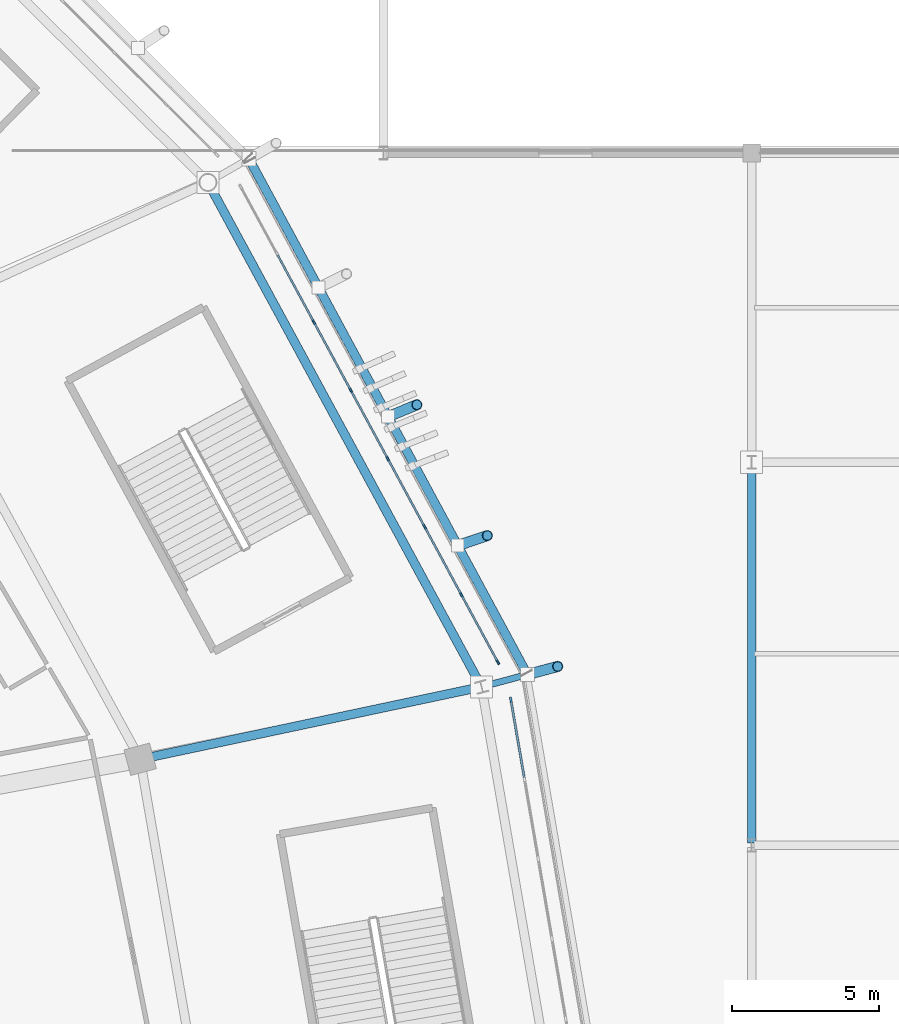
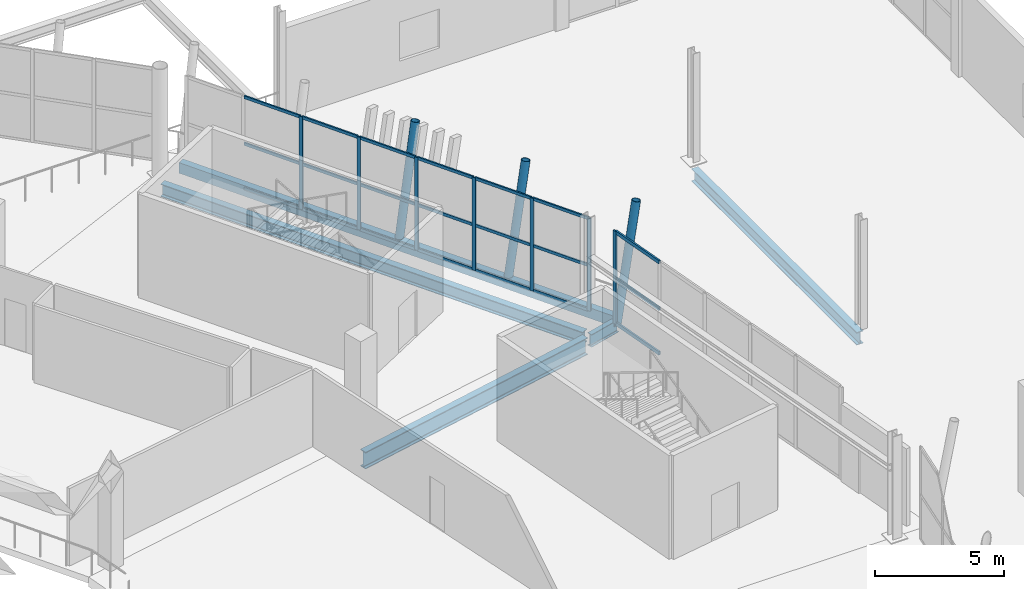
# One storey, part 66 of 178: 31 members, 5 beams, 2 elements without a shape of their own.
"""IFC4 building model written with IfcOpenShell, lengths in metres."""

from ifc_helpers import new_model, si_unit, direction, frame, origin, origin_2d, place, context, subcontext, project, spatial, rectangle, hollow_rectangle, hollow_circle, i_section, extrude, material, material_profile, profile_set, type_object, element, aggregate, save


model = new_model("IFC4")

# Units and contexts
model_context = context("Model", 3, precision=1e-05, world=origin(), true_north=direction((0.0, 1.0)))
body_context = subcontext(model_context, "Body", "Model", "MODEL_VIEW")
ifc_project = project(units=[si_unit("LENGTHUNIT", "METRE"), si_unit("AREAUNIT", "SQUARE_METRE"), si_unit("VOLUMEUNIT", "CUBIC_METRE"), si_unit("PLANEANGLEUNIT", "RADIAN"), si_unit("MASSUNIT", "GRAM", prefix="KILO")], contexts=[model_context])

# Site, building, storey
site_placement = place(None, origin())
site = spatial("IfcSite", under=ifc_project, at=site_placement, CompositionType="ELEMENT")
building_placement = place(site_placement, origin())
building = spatial("IfcBuilding", under=site, at=building_placement, Name="Zlatoyarsky Gate Stadium", CompositionType="ELEMENT")
storey_placement = place(building_placement, frame((0.0, 0.0, 5.39990234375)))
storey = spatial("IfcBuildingStorey", under=building, at=storey_placement, Name="L01", CompositionType="ELEMENT", Elevation=5.39990234375)

# Curtain wall, members
ifc_material_1 = material(Name="Thermally broken anodised aluminium curtain wall", Category="aluminium")
curtain_wall_type_1 = type_object("IfcCurtainWallType", Name="MONUMENTAL ARCHED GATE GLAZING LOWER", PredefinedType="USERDEFINED", material=ifc_material_1)
curtain_wall_1_placement = place(storey_placement, origin())
curtain_wall_1 = element("IfcCurtainWall", 1, at=curtain_wall_1_placement, inside=storey, type_object=curtain_wall_type_1, Name="Curtain wall CW-L01-00", ObjectType="ARCHED GATE GLAZING", PredefinedType="USERDEFINED")
ifc_material_2 = material(Name="Anodised aluminium 6063-T6", Category="aluminium")
ifc_material_profile_1 = material_profile(ifc_material_2, rectangle(XDim=0.074951171875, YDim=0.18994140625, at=origin_2d()), Name="ALU 75X190")
ifc_profile_set_1 = profile_set([ifc_material_profile_1], Name="Anodised aluminium 6063-T6")
member_type_1 = type_object("IfcMemberType", Name="ALUMINIUM GATE MULLION 75X190", PredefinedType="MULLION", material=ifc_profile_set_1)
member_1_placement = place(storey_placement, frame((201.824951171875, 97.933837890625, 0.0), z_axis=(0.0, 0.0, 1.0), x_axis=(-0.985538462082, -0.169451880356, 0.0)))
member_1 = element("IfcMember", 2, at=member_1_placement, type_object=member_type_1, Name="CW-AG1 mullion 6", PredefinedType="MULLION", context=body_context, shape_type="SweptSolid", body=[
    extrude(rectangle(XDim=0.074951171875, YDim=0.18994140625, at=origin_2d()), origin(), (0.0, 0.0, 1.0), 4.400146484375),
])
ifc_material_profile_2 = material_profile(ifc_material_2, rectangle(XDim=0.074951171875, YDim=0.169921875, at=origin_2d()), Name="ALU 75X170")
ifc_profile_set_2 = profile_set([ifc_material_profile_2], Name="Anodised aluminium 6063-T6")
member_type_2 = type_object("IfcMemberType", Name="ALUMINIUM GATE TRANSOM 75X170", PredefinedType="USERDEFINED", material=ifc_profile_set_2)
member_2_placement = place(storey_placement, frame((202.279541015625, 95.29052734375, 0.03759765625), z_axis=(-0.169501903761, 0.985529859832, 0.0), x_axis=(-0.985529859832, -0.169501903761, 0.0)))
member_2 = element("IfcMember", 3, at=member_2_placement, type_object=member_type_2, Name="CW-AG1 transom 5.1", ObjectType="TRANSOM", PredefinedType="USERDEFINED", context=body_context, shape_type="SweptSolid", body=[
    extrude(rectangle(XDim=0.074951171875, YDim=0.169921875, at=origin_2d()), origin(), (0.0, 0.0, 1.0), 2.64453125),
])
member_3_placement = place(storey_placement, frame((202.279541015625, 95.29052734375, 2.150146484375), z_axis=(-0.169501903761, 0.985529859832, 0.0), x_axis=(-0.985529859832, -0.169501903761, 0.0)))
member_3 = element("IfcMember", 4, at=member_3_placement, type_object=member_type_2, Name="CW-AG1 transom 5.2", ObjectType="TRANSOM", PredefinedType="USERDEFINED", context=body_context, shape_type="SweptSolid", body=[
    extrude(rectangle(XDim=0.074951171875, YDim=0.169921875, at=origin_2d()), origin(), (0.0, 0.0, 1.0), 2.64453125),
])
member_4_placement = place(storey_placement, frame((202.279541015625, 95.29052734375, 4.362548828125), z_axis=(-0.169501903761, 0.985529859832, 0.0), x_axis=(-0.985529859832, -0.169501903761, 0.0)))
member_4 = element("IfcMember", 5, at=member_4_placement, type_object=member_type_2, Name="CW-AG1 transom 5.3", ObjectType="TRANSOM", PredefinedType="USERDEFINED", context=body_context, shape_type="SweptSolid", body=[
    extrude(rectangle(XDim=0.074951171875, YDim=0.169921875, at=origin_2d()), origin(), (0.0, 0.0, 1.0), 2.64453125),
])
aggregate(curtain_wall_1, [member_1, member_2, member_3, member_4])

curtain_wall_type_2 = type_object("IfcCurtainWallType", Name="UNITISED HOSPITALITY GLAZING L01", PredefinedType="USERDEFINED", material=ifc_material_1)
curtain_wall_2_placement = place(storey_placement, origin())
curtain_wall_2 = element("IfcCurtainWall", 6, at=curtain_wall_2_placement, inside=storey, type_object=curtain_wall_type_2, Name="Curtain wall CW-L01-01", ObjectType="UNITISED GLAZING", PredefinedType="USERDEFINED")
ifc_material_profile_3 = material_profile(ifc_material_2, rectangle(XDim=0.06494140625, YDim=0.159912109375, at=origin_2d()), Name="ALU 65X160")
ifc_profile_set_3 = profile_set([ifc_material_profile_3], Name="Anodised aluminium 6063-T6")
member_type_3 = type_object("IfcMemberType", Name="ALUMINIUM MULLION 65X160", PredefinedType="MULLION", material=ifc_profile_set_3)
member_5_placement = place(storey_placement, frame((201.3837890625, 99.211669921875, 0.0), z_axis=(0.0, 0.0, 1.0), x_axis=(-0.879562033396, -0.475784225682, 0.0)))
member_5 = element("IfcMember", 7, at=member_5_placement, type_object=member_type_3, Name="CW-UG1 mullion 1", PredefinedType="MULLION", context=body_context, shape_type="SweptSolid", body=[
    extrude(rectangle(XDim=0.06494140625, YDim=0.159912109375, at=origin_2d()), origin(), (0.0, 0.0, 1.0), 4.400146484375),
])
member_6_placement = place(storey_placement, frame((200.1474609375, 101.497314453125, 0.0), z_axis=(0.0, 0.0, 1.0), x_axis=(-0.879562033396, -0.475784225682, 0.0)))
member_6 = element("IfcMember", 8, at=member_6_placement, type_object=member_type_3, Name="CW-UG1 mullion 2", PredefinedType="MULLION", context=body_context, shape_type="SweptSolid", body=[
    extrude(rectangle(XDim=0.06494140625, YDim=0.159912109375, at=origin_2d()), origin(), (0.0, 0.0, 1.0), 4.400146484375),
])
member_7_placement = place(storey_placement, frame((198.8955078125, 103.8115234375, 0.0), z_axis=(0.0, 0.0, 1.0), x_axis=(-0.879562033396, -0.475784225682, 0.0)))
member_7 = element("IfcMember", 9, at=member_7_placement, type_object=member_type_3, Name="CW-UG1 mullion 3", PredefinedType="MULLION", context=body_context, shape_type="SweptSolid", body=[
    extrude(rectangle(XDim=0.06494140625, YDim=0.159912109375, at=origin_2d()), origin(), (0.0, 0.0, 1.0), 4.400146484375),
])
member_8_placement = place(storey_placement, frame((197.643798828125, 106.125732421875, 0.0), z_axis=(0.0, 0.0, 1.0), x_axis=(-0.879562033396, -0.475784225682, 0.0)))
member_8 = element("IfcMember", 10, at=member_8_placement, type_object=member_type_3, Name="CW-UG1 mullion 4", PredefinedType="MULLION", context=body_context, shape_type="SweptSolid", body=[
    extrude(rectangle(XDim=0.06494140625, YDim=0.159912109375, at=origin_2d()), origin(), (0.0, 0.0, 1.0), 4.400146484375),
])
member_9_placement = place(storey_placement, frame((196.391845703125, 108.43994140625, 0.0), z_axis=(0.0, 0.0, 1.0), x_axis=(-0.879562033396, -0.475784225682, 0.0)))
member_9 = element("IfcMember", 11, at=member_9_placement, type_object=member_type_3, Name="CW-UG1 mullion 5", PredefinedType="MULLION", context=body_context, shape_type="SweptSolid", body=[
    extrude(rectangle(XDim=0.06494140625, YDim=0.159912109375, at=origin_2d()), origin(), (0.0, 0.0, 1.0), 4.400146484375),
])
member_10_placement = place(storey_placement, frame((195.14013671875, 110.754150390625, 0.0), z_axis=(0.0, 0.0, 1.0), x_axis=(-0.879562033396, -0.475784225682, 0.0)))
member_10 = element("IfcMember", 12, at=member_10_placement, type_object=member_type_3, Name="CW-UG1 mullion 6", PredefinedType="MULLION", context=body_context, shape_type="SweptSolid", body=[
    extrude(rectangle(XDim=0.06494140625, YDim=0.159912109375, at=origin_2d()), origin(), (0.0, 0.0, 1.0), 4.400146484375),
])
ifc_material_profile_4 = material_profile(ifc_material_2, rectangle(XDim=0.06494140625, YDim=0.139892578125, at=origin_2d()), Name="ALU 65X140")
ifc_profile_set_4 = profile_set([ifc_material_profile_4], Name="Anodised aluminium 6063-T6")
member_type_4 = type_object("IfcMemberType", Name="ALUMINIUM TRANSOM 65X140", PredefinedType="USERDEFINED", material=ifc_profile_set_4)
member_11_placement = place(storey_placement, frame((201.368408203125, 99.240234375, 0.03271484375), z_axis=(-0.475811253632, 0.879547412546, 0.0), x_axis=(-0.879547412546, -0.475811253632, 0.0)))
member_11 = element("IfcMember", 13, at=member_11_placement, type_object=member_type_4, Name="CW-UG1 transom 1.1", ObjectType="TRANSOM", PredefinedType="USERDEFINED", context=body_context, shape_type="SweptSolid", body=[
    extrude(rectangle(XDim=0.06494140625, YDim=0.139892578125, at=origin_2d()), origin(), (0.0, 0.0, 1.0), 2.53369140625),
])
member_12_placement = place(storey_placement, frame((201.368408203125, 99.240234375, 2.150146484375), z_axis=(-0.475811253632, 0.879547412546, 0.0), x_axis=(-0.879547412546, -0.475811253632, 0.0)))
member_12 = element("IfcMember", 14, at=member_12_placement, type_object=member_type_4, Name="CW-UG1 transom 1.2", ObjectType="TRANSOM", PredefinedType="USERDEFINED", context=body_context, shape_type="SweptSolid", body=[
    extrude(rectangle(XDim=0.06494140625, YDim=0.139892578125, at=origin_2d()), origin(), (0.0, 0.0, 1.0), 2.53369140625),
])
member_13_placement = place(storey_placement, frame((201.368408203125, 99.240234375, 4.36767578125), z_axis=(-0.475811253632, 0.879547412546, 0.0), x_axis=(-0.879547412546, -0.475811253632, 0.0)))
member_13 = element("IfcMember", 15, at=member_13_placement, type_object=member_type_4, Name="CW-UG1 transom 1.3", ObjectType="TRANSOM", PredefinedType="USERDEFINED", context=body_context, shape_type="SweptSolid", body=[
    extrude(rectangle(XDim=0.06494140625, YDim=0.139892578125, at=origin_2d()), origin(), (0.0, 0.0, 1.0), 2.53369140625),
])
member_14_placement = place(storey_placement, frame((200.132080078125, 101.52587890625, 0.03271484375), z_axis=(-0.475789628306, 0.879559110916, 0.0), x_axis=(-0.879559110916, -0.475789628306, 0.0)))
member_14 = element("IfcMember", 16, at=member_14_placement, type_object=member_type_4, Name="CW-UG1 transom 2.1", ObjectType="TRANSOM", PredefinedType="USERDEFINED", context=body_context, shape_type="SweptSolid", body=[
    extrude(rectangle(XDim=0.06494140625, YDim=0.139892578125, at=origin_2d()), origin(), (0.0, 0.0, 1.0), 2.566162109375),
])
member_15_placement = place(storey_placement, frame((200.132080078125, 101.52587890625, 2.150146484375), z_axis=(-0.475789628306, 0.879559110916, 0.0), x_axis=(-0.879559110916, -0.475789628306, 0.0)))
member_15 = element("IfcMember", 17, at=member_15_placement, type_object=member_type_4, Name="CW-UG1 transom 2.2", ObjectType="TRANSOM", PredefinedType="USERDEFINED", context=body_context, shape_type="SweptSolid", body=[
    extrude(rectangle(XDim=0.06494140625, YDim=0.139892578125, at=origin_2d()), origin(), (0.0, 0.0, 1.0), 2.566162109375),
])
member_16_placement = place(storey_placement, frame((200.132080078125, 101.52587890625, 4.36767578125), z_axis=(-0.475789628306, 0.879559110916, 0.0), x_axis=(-0.879559110916, -0.475789628306, 0.0)))
member_16 = element("IfcMember", 18, at=member_16_placement, type_object=member_type_4, Name="CW-UG1 transom 2.3", ObjectType="TRANSOM", PredefinedType="USERDEFINED", context=body_context, shape_type="SweptSolid", body=[
    extrude(rectangle(XDim=0.06494140625, YDim=0.139892578125, at=origin_2d()), origin(), (0.0, 0.0, 1.0), 2.566162109375),
])
member_17_placement = place(storey_placement, frame((198.880126953125, 103.840087890625, 0.03271484375), z_axis=(-0.475789628306, 0.879559110916, 0.0), x_axis=(-0.879559110916, -0.475789628306, 0.0)))
member_17 = element("IfcMember", 19, at=member_17_placement, type_object=member_type_4, Name="CW-UG1 transom 3.1", ObjectType="TRANSOM", PredefinedType="USERDEFINED", context=body_context, shape_type="SweptSolid", body=[
    extrude(rectangle(XDim=0.06494140625, YDim=0.139892578125, at=origin_2d()), origin(), (0.0, 0.0, 1.0), 2.566162109375),
])
member_18_placement = place(storey_placement, frame((198.880126953125, 103.840087890625, 2.150146484375), z_axis=(-0.475789628306, 0.879559110916, 0.0), x_axis=(-0.879559110916, -0.475789628306, 0.0)))
member_18 = element("IfcMember", 20, at=member_18_placement, type_object=member_type_4, Name="CW-UG1 transom 3.2", ObjectType="TRANSOM", PredefinedType="USERDEFINED", context=body_context, shape_type="SweptSolid", body=[
    extrude(rectangle(XDim=0.06494140625, YDim=0.139892578125, at=origin_2d()), origin(), (0.0, 0.0, 1.0), 2.566162109375),
])
member_19_placement = place(storey_placement, frame((198.880126953125, 103.840087890625, 4.36767578125), z_axis=(-0.475789628306, 0.879559110916, 0.0), x_axis=(-0.879559110916, -0.475789628306, 0.0)))
member_19 = element("IfcMember", 21, at=member_19_placement, type_object=member_type_4, Name="CW-UG1 transom 3.3", ObjectType="TRANSOM", PredefinedType="USERDEFINED", context=body_context, shape_type="SweptSolid", body=[
    extrude(rectangle(XDim=0.06494140625, YDim=0.139892578125, at=origin_2d()), origin(), (0.0, 0.0, 1.0), 2.566162109375),
])
member_20_placement = place(storey_placement, frame((197.62841796875, 106.154296875, 0.03271484375), z_axis=(-0.475789628306, 0.879559110916, 0.0), x_axis=(-0.879559110916, -0.475789628306, 0.0)))
member_20 = element("IfcMember", 22, at=member_20_placement, type_object=member_type_4, Name="CW-UG1 transom 4.1", ObjectType="TRANSOM", PredefinedType="USERDEFINED", context=body_context, shape_type="SweptSolid", body=[
    extrude(rectangle(XDim=0.06494140625, YDim=0.139892578125, at=origin_2d()), origin(), (0.0, 0.0, 1.0), 2.566162109375),
])
member_21_placement = place(storey_placement, frame((197.62841796875, 106.154296875, 2.150146484375), z_axis=(-0.475789628306, 0.879559110916, 0.0), x_axis=(-0.879559110916, -0.475789628306, 0.0)))
member_21 = element("IfcMember", 23, at=member_21_placement, type_object=member_type_4, Name="CW-UG1 transom 4.2", ObjectType="TRANSOM", PredefinedType="USERDEFINED", context=body_context, shape_type="SweptSolid", body=[
    extrude(rectangle(XDim=0.06494140625, YDim=0.139892578125, at=origin_2d()), origin(), (0.0, 0.0, 1.0), 2.566162109375),
])
member_22_placement = place(storey_placement, frame((197.62841796875, 106.154296875, 4.36767578125), z_axis=(-0.475789628306, 0.879559110916, 0.0), x_axis=(-0.879559110916, -0.475789628306, 0.0)))
member_22 = element("IfcMember", 24, at=member_22_placement, type_object=member_type_4, Name="CW-UG1 transom 4.3", ObjectType="TRANSOM", PredefinedType="USERDEFINED", context=body_context, shape_type="SweptSolid", body=[
    extrude(rectangle(XDim=0.06494140625, YDim=0.139892578125, at=origin_2d()), origin(), (0.0, 0.0, 1.0), 2.566162109375),
])
member_23_placement = place(storey_placement, frame((196.37646484375, 108.468505859375, 0.03271484375), z_axis=(-0.475789628306, 0.879559110916, 0.0), x_axis=(-0.879559110916, -0.475789628306, 0.0)))
member_23 = element("IfcMember", 25, at=member_23_placement, type_object=member_type_4, Name="CW-UG1 transom 5.1", ObjectType="TRANSOM", PredefinedType="USERDEFINED", context=body_context, shape_type="SweptSolid", body=[
    extrude(rectangle(XDim=0.06494140625, YDim=0.139892578125, at=origin_2d()), origin(), (0.0, 0.0, 1.0), 2.566162109375),
])
member_24_placement = place(storey_placement, frame((196.37646484375, 108.468505859375, 2.150146484375), z_axis=(-0.475789628306, 0.879559110916, 0.0), x_axis=(-0.879559110916, -0.475789628306, 0.0)))
member_24 = element("IfcMember", 26, at=member_24_placement, type_object=member_type_4, Name="CW-UG1 transom 5.2", ObjectType="TRANSOM", PredefinedType="USERDEFINED", context=body_context, shape_type="SweptSolid", body=[
    extrude(rectangle(XDim=0.06494140625, YDim=0.139892578125, at=origin_2d()), origin(), (0.0, 0.0, 1.0), 2.566162109375),
])
member_25_placement = place(storey_placement, frame((196.37646484375, 108.468505859375, 4.36767578125), z_axis=(-0.475789628306, 0.879559110916, 0.0), x_axis=(-0.879559110916, -0.475789628306, 0.0)))
member_25 = element("IfcMember", 27, at=member_25_placement, type_object=member_type_4, Name="CW-UG1 transom 5.3", ObjectType="TRANSOM", PredefinedType="USERDEFINED", context=body_context, shape_type="SweptSolid", body=[
    extrude(rectangle(XDim=0.06494140625, YDim=0.139892578125, at=origin_2d()), origin(), (0.0, 0.0, 1.0), 2.566162109375),
])
member_26_placement = place(storey_placement, frame((195.12451171875, 110.78271484375, 0.03271484375), z_axis=(-0.475716021552, 0.87959892385, 0.0), x_axis=(-0.87959892385, -0.475716021552, 0.0)))
member_26 = element("IfcMember", 28, at=member_26_placement, type_object=member_type_4, Name="CW-UG1 transom 6.1", ObjectType="TRANSOM", PredefinedType="USERDEFINED", context=body_context, shape_type="SweptSolid", body=[
    extrude(rectangle(XDim=0.06494140625, YDim=0.139892578125, at=origin_2d()), origin(), (0.0, 0.0, 1.0), 2.56591796875),
])
member_27_placement = place(storey_placement, frame((195.12451171875, 110.78271484375, 2.150146484375), z_axis=(-0.475716021552, 0.87959892385, 0.0), x_axis=(-0.87959892385, -0.475716021552, 0.0)))
member_27 = element("IfcMember", 29, at=member_27_placement, type_object=member_type_4, Name="CW-UG1 transom 6.2", ObjectType="TRANSOM", PredefinedType="USERDEFINED", context=body_context, shape_type="SweptSolid", body=[
    extrude(rectangle(XDim=0.06494140625, YDim=0.139892578125, at=origin_2d()), origin(), (0.0, 0.0, 1.0), 2.56591796875),
])
member_28_placement = place(storey_placement, frame((195.12451171875, 110.78271484375, 4.36767578125), z_axis=(-0.475716021552, 0.87959892385, 0.0), x_axis=(-0.87959892385, -0.475716021552, 0.0)))
member_28 = element("IfcMember", 30, at=member_28_placement, type_object=member_type_4, Name="CW-UG1 transom 6.3", ObjectType="TRANSOM", PredefinedType="USERDEFINED", context=body_context, shape_type="SweptSolid", body=[
    extrude(rectangle(XDim=0.06494140625, YDim=0.139892578125, at=origin_2d()), origin(), (0.0, 0.0, 1.0), 2.56591796875),
])
aggregate(curtain_wall_2, [member_5, member_6, member_7, member_8, member_9, member_10, member_11, member_12, member_13, member_14, member_15, member_16, member_17, member_18, member_19, member_20, member_21, member_22, member_23, member_24, member_25, member_26, member_27, member_28])

# Beam
ifc_material_3 = material(Name="Steel S355", Category="steel")
ifc_material_profile_5 = material_profile(ifc_material_3, i_section(OverallWidth=0.219970703125, OverallDepth=0.60009765625, WebThickness=0.011962890625, FlangeThickness=0.01904296875, FilletRadius=0.02392578125, at=origin_2d()), Name="IPE 600")
ifc_profile_set_5 = profile_set([ifc_material_profile_5], Name="Steel S355")
beam_type_1 = type_object("IfcBeamType", Name="STEEL CANTILEVER FLOOR BEAM IPE 600", PredefinedType="BEAM", material=ifc_profile_set_5)
beam_1_placement = place(storey_placement, frame((200.947021484375, 98.4072265625, -0.760009765625), z_axis=(0.965923890569, 0.2588262692, 0.0), x_axis=(-0.2588262692, 0.965923890569, 0.0)))
element("IfcBeam", 31, at=beam_1_placement, inside=storey, type_object=beam_type_1, Name="Beam B-IPE600 BM-L01-OUT-01", PredefinedType="BEAM", context=body_context, shape_type="SweptSolid", body=[
    extrude(i_section(OverallWidth=0.219970703125, OverallDepth=0.60009765625, WebThickness=0.011962890625, FlangeThickness=0.01904296875, FilletRadius=0.02392578125, at=origin_2d()), origin(), (0.0, 0.0, 1.0), 1.488525390625),
])

# Members
ifc_material_profile_6 = material_profile(ifc_material_3, hollow_circle(Radius=0.177734375, WallThickness=0.02001953125, at=origin_2d()), Name="CHS 355.6X20")
ifc_profile_set_6 = profile_set([ifc_material_profile_6], Name="Steel S355")
member_type_5 = type_object("IfcMemberType", Name="STEEL LEANING RIB RING STRUT CHS 355.6X20", PredefinedType="STRUT", material=ifc_profile_set_6)
member_29_placement = place(storey_placement, frame((202.384765625, 98.79248046875, -0.760009765625), z_axis=(0.187969007318, 0.050341687728, 0.980883972121), x_axis=(-0.258701784688, 0.965957238494, 0.0)))
element("IfcMember", 32, at=member_29_placement, inside=storey, type_object=member_type_5, Name="Leaning ring strut 01 L01 to L02", PredefinedType="STRUT", context=body_context, shape_type="SweptSolid", body=[
    extrude(hollow_circle(Radius=0.177734375, WallThickness=0.02001953125, at=origin_2d()), origin(), (0.0, 0.0, 1.0), 5.48486328125),
])
member_30_placement = place(storey_placement, frame((200.02197265625, 103.17041015625, -0.5498046875), z_axis=(0.18856127959, 0.063938499035, 0.979977812086), x_axis=(-0.321126768229, 0.947036218276, 0.0)))
element("IfcMember", 33, at=member_30_placement, inside=storey, type_object=member_type_5, Name="Outward-leaning bowl louvre fin rib L01 01-1", PredefinedType="STRUT", context=body_context, shape_type="SweptSolid", body=[
    extrude(hollow_circle(Radius=0.177734375, WallThickness=0.02001953125, at=origin_2d()), origin(), (0.0, 0.0, 1.0), 5.32666015625),
])
member_31_placement = place(storey_placement, frame((197.6591796875, 107.54833984375, -0.5498046875), z_axis=(0.183536253805, 0.07604561565, 0.98006709356), x_axis=(-0.382779713358, 0.923839645741, 0.0)))
element("IfcMember", 34, at=member_31_placement, inside=storey, type_object=member_type_5, Name="Outward-leaning bowl louvre fin rib L01 01-2", PredefinedType="STRUT", context=body_context, shape_type="SweptSolid", body=[
    extrude(hollow_circle(Radius=0.177734375, WallThickness=0.02001953125, at=origin_2d()), origin(), (0.0, 0.0, 1.0), 5.326171875),
])

# Beams
ifc_material_profile_7 = material_profile(ifc_material_3, hollow_rectangle(XDim=0.300048828125, YDim=0.5, WallThickness=0.02001953125, at=origin_2d()), Name="RHS 500X300X20")
ifc_profile_set_7 = profile_set([ifc_material_profile_7], Name="Steel S355")
beam_type_2 = type_object("IfcBeamType", Name="STEEL LOUVRE CARRIER SPANDREL RHS 500X300X20", PredefinedType="SPANDREL", material=ifc_profile_set_7)
beam_2_placement = place(storey_placement, frame((202.375244140625, 98.81005859375, -0.5498046875), z_axis=(-0.474955117661, 0.880010020516, 0.0), x_axis=(-0.880010020516, -0.474955117661, 0.0)))
element("IfcBeam", 35, at=beam_2_placement, inside=storey, type_object=beam_type_2, Name="Beam SP-RHS500 BM-L01-SPD-01", PredefinedType="SPANDREL", context=body_context, shape_type="SweptSolid", body=[
    extrude(hollow_rectangle(XDim=0.300048828125, YDim=0.5, WallThickness=0.02001953125, at=origin_2d()), origin(), (0.0, 0.0, 1.0), 19.859619140625),
])
ifc_material_profile_8 = material_profile(ifc_material_3, i_section(OverallWidth=0.300048828125, OverallDepth=0.60009765625, WebThickness=0.015380859375, FlangeThickness=0.030029296875, FilletRadius=0.027099609375, at=origin_2d()), Name="HEB 600")
ifc_profile_set_8 = profile_set([ifc_material_profile_8], Name="Steel S355")
beam_type_3 = type_object("IfcBeamType", Name="STEEL PRIMARY GIRDER HEB 600", PredefinedType="BEAM", material=ifc_profile_set_8)
beam_3_placement = place(storey_placement, frame((200.77392578125, 98.481689453125, -0.599853515625), z_axis=(-0.476891650323, 0.878962088973, 0.0), x_axis=(-0.878962088973, -0.476891650323, 0.0)))
element("IfcBeam", 36, at=beam_3_placement, inside=storey, type_object=beam_type_3, Name="Beam G-HEB600 BM-L01-CRC-01", PredefinedType="BEAM", context=body_context, shape_type="SweptSolid", body=[
    extrude(i_section(OverallWidth=0.300048828125, OverallDepth=0.60009765625, WebThickness=0.015380859375, FlangeThickness=0.030029296875, FilletRadius=0.027099609375, at=origin_2d()), origin(), (0.0, 0.0, 1.0), 19.241943359375),
])
beam_4_placement = place(storey_placement, frame((210.0, 93.080078125, -0.599853515625), z_axis=(0.0, 1.0, 0.0), x_axis=(-1.0, 0.0, 0.0)))
element("IfcBeam", 37, at=beam_4_placement, inside=storey, type_object=beam_type_3, Name="Beam G-HEB600 BM-L01-WGY-18-J", PredefinedType="BEAM", context=body_context, shape_type="SweptSolid", body=[
    extrude(i_section(OverallWidth=0.300048828125, OverallDepth=0.60009765625, WebThickness=0.015380859375, FlangeThickness=0.030029296875, FilletRadius=0.027099609375, at=origin_2d()), origin(), (0.0, 0.0, 1.0), 12.83984375),
])
ifc_material_profile_9 = material_profile(ifc_material_3, i_section(OverallWidth=0.300048828125, OverallDepth=0.800048828125, WebThickness=0.017578125, FlangeThickness=0.032958984375, FilletRadius=0.030029296875, at=origin_2d()), Name="HEB 800")
ifc_profile_set_9 = profile_set([ifc_material_profile_9], Name="Steel S355")
beam_type_4 = type_object("IfcBeamType", Name="STEEL PRIMARY GIRDER HEB 800", PredefinedType="BEAM", material=ifc_profile_set_9)
beam_5_placement = place(storey_placement, frame((189.357421875, 95.9423828125, -0.85986328125), z_axis=(0.978233348926, 0.207507867438, 0.0), x_axis=(-0.207507867438, 0.978233348926, 0.0)))
element("IfcBeam", 38, at=beam_5_placement, inside=storey, type_object=beam_type_4, Name="Beam G-HEB800 BM-L01-RBC-01", PredefinedType="BEAM", context=body_context, shape_type="SweptSolid", body=[
    extrude(i_section(OverallWidth=0.300048828125, OverallDepth=0.800048828125, WebThickness=0.017578125, FlangeThickness=0.032958984375, FilletRadius=0.030029296875, at=origin_2d()), origin(), (0.0, 0.0, 1.0), 11.60888671875),
])

save(model, "model.ifc")
